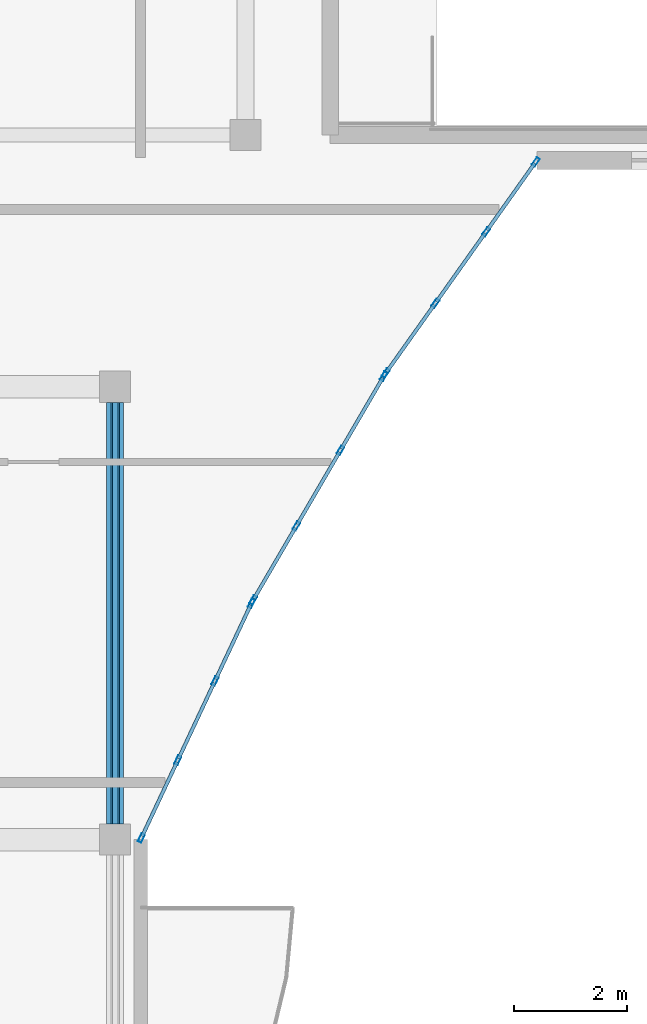
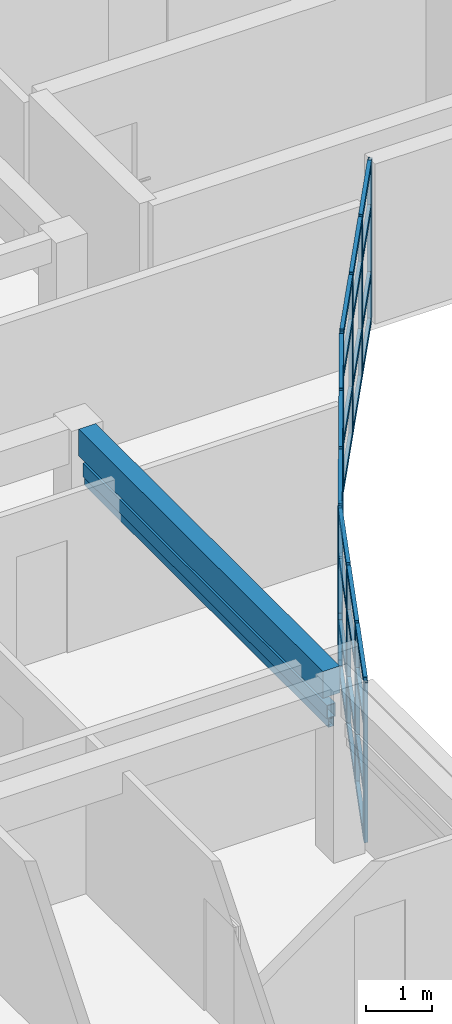
# One storey, part 2 of 68: 50 members, 1 beam, 3 elements without a shape of their own.
"""IFC4 building model written with IfcOpenShell, lengths in metres."""

from ifc_helpers import new_model, si_unit, direction, frame, origin, origin_2d, place, context, subcontext, project, spatial, rectangle, hollow_rectangle, extrude, material, layer, layer_set, material_profile, profile_set, type_object, element, aggregate, save


model = new_model("IFC4")

# Units and contexts
model_context = context("Model", 3, precision=1e-05, world=origin(), true_north=direction((0.0, 1.0)))
body_context = subcontext(model_context, "Body", "Model", "MODEL_VIEW")
ifc_project = project(units=[si_unit("LENGTHUNIT", "METRE"), si_unit("AREAUNIT", "SQUARE_METRE"), si_unit("VOLUMEUNIT", "CUBIC_METRE"), si_unit("PLANEANGLEUNIT", "RADIAN"), si_unit("MASSUNIT", "GRAM", prefix="KILO")], contexts=[model_context])

# Site, building, storey
site_placement = place(None, origin())
site = spatial("IfcSite", under=ifc_project, at=site_placement, CompositionType="ELEMENT")
building_placement = place(site_placement, origin())
building = spatial("IfcBuilding", under=site, at=building_placement, Name="Keldmere Railside Commons", CompositionType="ELEMENT")
storey_placement = place(building_placement, frame((0.0, 0.0, 23.360107421875)))
storey = spatial("IfcBuildingStorey", under=building, at=storey_placement, Name="L07", CompositionType="ELEMENT", Elevation=23.360107421875)

# Member
ifc_material_1 = material(Name="Steel F-36 (S355)", Category="steel")
ifc_material_profile_1 = material_profile(ifc_material_1, hollow_rectangle(XDim=0.14990234375, YDim=0.25, WallThickness=0.010009765625, at=origin_2d()), Name="RHS-250x150x10")
ifc_profile_set_1 = profile_set([ifc_material_profile_1], Name="Steel F-36 (S355)")
member_type_1 = type_object("IfcMemberType", Name="Balcony Continuous Planted Trough RHS250x150", PredefinedType="CHORD", material=ifc_profile_set_1)
member_1_placement = place(storey_placement, frame((23.550048828125, 88.27490234375, 2.414794921875), z_axis=(0.0, 1.0, 0.0), x_axis=(-1.0, 0.0, 0.0)))
element("IfcMember", 1, at=member_1_placement, inside=storey, type_object=member_type_1, Name="PLT-1 MEM-BPLT-0791", PredefinedType="CHORD", context=body_context, shape_type="SweptSolid", body=[
    extrude(hollow_rectangle(XDim=0.14990234375, YDim=0.25, WallThickness=0.010009765625, at=origin_2d()), origin(), (0.0, 0.0, 1.0), 7.4501953125),
])

# Beam
ifc_material_2 = material(Name="Concrete H-30 (C30/37)", Category="concrete")
ifc_material_profile_2 = material_profile(ifc_material_2, rectangle(XDim=0.300048828125, YDim=0.5, at=origin_2d()), Name="RC-300x500")
ifc_profile_set_2 = profile_set([ifc_material_profile_2], Name="Concrete H-30 (C30/37)")
beam_type = type_object("IfcBeamType", Name="Secondary Frame RC Beam 300x500", PredefinedType="BEAM", material=ifc_profile_set_2)
beam_placement = place(storey_placement, frame((23.550048828125, 88.27490234375, 2.949951171875), z_axis=(0.0, 1.0, 0.0), x_axis=(-1.0, 0.0, 0.0)))
element("IfcBeam", 2, at=beam_placement, inside=storey, type_object=beam_type, Name="BG-5 BM-L07-2102", PredefinedType="BEAM", context=body_context, shape_type="SweptSolid", body=[
    extrude(rectangle(XDim=0.300048828125, YDim=0.5, at=origin_2d()), origin(), (0.0, 0.0, 1.0), 7.4501953125),
])

# Member
ifc_material_profile_3 = material_profile(ifc_material_1, hollow_rectangle(XDim=0.10009765625, YDim=0.159912109375, WallThickness=0.008056640625, at=origin_2d()), Name="RHS-160x100x8")
ifc_profile_set_3 = profile_set([ifc_material_profile_3], Name="Steel F-36 (S355)")
member_type_2 = type_object("IfcMemberType", Name="Solar Brise-Soleil Louvre Fin RHS160x100", PredefinedType="STRUT", material=ifc_profile_set_3)
member_2_placement = place(storey_placement, frame((23.550048828125, 88.27490234375, 2.199951171875), z_axis=(0.0, 1.0, 0.0), x_axis=(-1.0, 0.0, 0.0)))
element("IfcMember", 3, at=member_2_placement, inside=storey, type_object=member_type_2, Name="BSF-1 MEM-BSF-0792", PredefinedType="STRUT", context=body_context, shape_type="SweptSolid", body=[
    extrude(hollow_rectangle(XDim=0.10009765625, YDim=0.159912109375, WallThickness=0.008056640625, at=origin_2d()), origin(), (0.0, 0.0, 1.0), 7.4501953125),
])

# Curtain wall, members
ifc_material_3 = material(Name="Thermally Broken Aluminium", Category="aluminium")
ifc_layer_1 = layer(ifc_material_3, 0.159912109375, Name="Court Chord Wintergarden CW 4800x2850")
ifc_layer_set_1 = layer_set([ifc_layer_1], Name="Thermally Broken Aluminium")
curtain_wall_type_1 = type_object("IfcCurtainWallType", Name="Court Chord Wintergarden CW 4800x2850", PredefinedType="NOTDEFINED", material=ifc_layer_set_1)
curtain_wall_1_placement = place(storey_placement, origin())
curtain_wall_1 = element("IfcCurtainWall", 4, at=curtain_wall_1_placement, inside=storey, type_object=curtain_wall_type_1, Name="CW-12 CW-L07-022", PredefinedType="NOTDEFINED")
ifc_material_profile_4 = material_profile(ifc_material_3, hollow_rectangle(XDim=0.06494140625, YDim=0.159912109375, WallThickness=0.00390625, at=origin_2d()), Name="ALU-MULL-65x160")
ifc_profile_set_4 = profile_set([ifc_material_profile_4], Name="Thermally Broken Aluminium")
member_type_3 = type_object("IfcMemberType", Name="Unitised Curtain Wall Mullion 65x160", PredefinedType="MULLION", material=ifc_profile_set_4)
member_3_placement = place(storey_placement, frame((25.958251953125, 92.173583984375, 0.0), z_axis=(0.0, 0.0, 1.0), x_axis=(0.905306255478, -0.424759442264, 0.0)))
member_3 = element("IfcMember", 5, at=member_3_placement, type_object=member_type_3, Name="CW-12 mullion 1", PredefinedType="MULLION", context=body_context, shape_type="SweptSolid", body=[
    extrude(hollow_rectangle(XDim=0.06494140625, YDim=0.159912109375, WallThickness=0.00390625, at=origin_2d()), origin(), (0.0, 0.0, 1.0), 2.97998046875),
])
member_4_placement = place(storey_placement, frame((25.314697265625, 90.802001953125, 0.0), z_axis=(0.0, 0.0, 1.0), x_axis=(0.905306255478, -0.424759442264, 0.0)))
member_4 = element("IfcMember", 6, at=member_4_placement, type_object=member_type_3, Name="CW-12 mullion 2", PredefinedType="MULLION", context=body_context, shape_type="SweptSolid", body=[
    extrude(hollow_rectangle(XDim=0.06494140625, YDim=0.159912109375, WallThickness=0.00390625, at=origin_2d()), origin(), (0.0, 0.0, 1.0), 2.97998046875),
])
member_5_placement = place(storey_placement, frame((24.6572265625, 89.40087890625, 0.0), z_axis=(0.0, 0.0, 1.0), x_axis=(0.905306255478, -0.424759442264, 0.0)))
member_5 = element("IfcMember", 7, at=member_5_placement, type_object=member_type_3, Name="CW-12 mullion 3", PredefinedType="MULLION", context=body_context, shape_type="SweptSolid", body=[
    extrude(hollow_rectangle(XDim=0.06494140625, YDim=0.159912109375, WallThickness=0.00390625, at=origin_2d()), origin(), (0.0, 0.0, 1.0), 2.97998046875),
])
member_6_placement = place(storey_placement, frame((24.013916015625, 88.029541015625, 0.0), z_axis=(0.0, 0.0, 1.0), x_axis=(0.905306255478, -0.424759442264, 0.0)))
member_6 = element("IfcMember", 8, at=member_6_placement, type_object=member_type_3, Name="CW-12 mullion 4", PredefinedType="MULLION", context=body_context, shape_type="SweptSolid", body=[
    extrude(hollow_rectangle(XDim=0.06494140625, YDim=0.159912109375, WallThickness=0.00390625, at=origin_2d()), origin(), (0.0, 0.0, 1.0), 2.97998046875),
])

ifc_layer_2 = layer(ifc_material_3, 0.159912109375, Name="Court Chord Wintergarden CW 5400x2850")
ifc_layer_set_2 = layer_set([ifc_layer_2], Name="Thermally Broken Aluminium")
curtain_wall_type_2 = type_object("IfcCurtainWallType", Name="Court Chord Wintergarden CW 5400x2850", PredefinedType="NOTDEFINED", material=ifc_layer_set_2)
curtain_wall_2_placement = place(storey_placement, origin())
curtain_wall_2 = element("IfcCurtainWall", 9, at=curtain_wall_2_placement, inside=storey, type_object=curtain_wall_type_2, Name="CW-13 CW-L07-023", PredefinedType="NOTDEFINED")
member_7_placement = place(storey_placement, frame((28.295654296875, 96.18603515625, 0.0), z_axis=(0.0, 0.0, 1.0), x_axis=(0.86375546846, -0.503911193272, 0.0)))
member_7 = element("IfcMember", 10, at=member_7_placement, type_object=member_type_3, Name="CW-13 mullion 1", PredefinedType="MULLION", context=body_context, shape_type="SweptSolid", body=[
    extrude(hollow_rectangle(XDim=0.06494140625, YDim=0.159912109375, WallThickness=0.00390625, at=origin_2d()), origin(), (0.0, 0.0, 1.0), 2.97998046875),
])
member_8_placement = place(storey_placement, frame((27.531982421875, 94.876953125, 0.0), z_axis=(0.0, 0.0, 1.0), x_axis=(0.86375546846, -0.503911193272, 0.0)))
member_8 = element("IfcMember", 11, at=member_8_placement, type_object=member_type_3, Name="CW-13 mullion 2", PredefinedType="MULLION", context=body_context, shape_type="SweptSolid", body=[
    extrude(hollow_rectangle(XDim=0.06494140625, YDim=0.159912109375, WallThickness=0.00390625, at=origin_2d()), origin(), (0.0, 0.0, 1.0), 2.97998046875),
])
member_9_placement = place(storey_placement, frame((26.751953125, 93.5400390625, 0.0), z_axis=(0.0, 0.0, 1.0), x_axis=(0.86375546846, -0.503911193272, 0.0)))
member_9 = element("IfcMember", 12, at=member_9_placement, type_object=member_type_3, Name="CW-13 mullion 3", PredefinedType="MULLION", context=body_context, shape_type="SweptSolid", body=[
    extrude(hollow_rectangle(XDim=0.06494140625, YDim=0.159912109375, WallThickness=0.00390625, at=origin_2d()), origin(), (0.0, 0.0, 1.0), 2.97998046875),
])
member_10_placement = place(storey_placement, frame((25.98828125, 92.23095703125, 0.0), z_axis=(0.0, 0.0, 1.0), x_axis=(0.86375546846, -0.503911193272, 0.0)))
member_10 = element("IfcMember", 13, at=member_10_placement, type_object=member_type_3, Name="CW-13 mullion 4", PredefinedType="MULLION", context=body_context, shape_type="SweptSolid", body=[
    extrude(hollow_rectangle(XDim=0.06494140625, YDim=0.159912109375, WallThickness=0.00390625, at=origin_2d()), origin(), (0.0, 0.0, 1.0), 2.97998046875),
])

curtain_wall_3_placement = place(storey_placement, origin())
curtain_wall_3 = element("IfcCurtainWall", 14, at=curtain_wall_3_placement, inside=storey, type_object=curtain_wall_type_1, Name="CW-12 CW-L07-024", PredefinedType="NOTDEFINED")
member_11_placement = place(storey_placement, frame((30.981201171875, 99.973388671875, 0.0), z_axis=(0.0, 0.0, 1.0), x_axis=(0.815389084395, -0.578913327753, 0.0)))
member_11 = element("IfcMember", 15, at=member_11_placement, type_object=member_type_3, Name="CW-12 mullion 1", PredefinedType="MULLION", context=body_context, shape_type="SweptSolid", body=[
    extrude(hollow_rectangle(XDim=0.06494140625, YDim=0.159912109375, WallThickness=0.00390625, at=origin_2d()), origin(), (0.0, 0.0, 1.0), 2.97998046875),
])
member_12_placement = place(storey_placement, frame((30.10400390625, 98.738037109375, 0.0), z_axis=(0.0, 0.0, 1.0), x_axis=(0.815389084395, -0.578913327753, 0.0)))
member_12 = element("IfcMember", 16, at=member_12_placement, type_object=member_type_3, Name="CW-12 mullion 2", PredefinedType="MULLION", context=body_context, shape_type="SweptSolid", body=[
    extrude(hollow_rectangle(XDim=0.06494140625, YDim=0.159912109375, WallThickness=0.00390625, at=origin_2d()), origin(), (0.0, 0.0, 1.0), 2.97998046875),
])
member_13_placement = place(storey_placement, frame((29.2080078125, 97.47607421875, 0.0), z_axis=(0.0, 0.0, 1.0), x_axis=(0.815389084395, -0.578913327753, 0.0)))
member_13 = element("IfcMember", 17, at=member_13_placement, type_object=member_type_3, Name="CW-12 mullion 3", PredefinedType="MULLION", context=body_context, shape_type="SweptSolid", body=[
    extrude(hollow_rectangle(XDim=0.06494140625, YDim=0.159912109375, WallThickness=0.00390625, at=origin_2d()), origin(), (0.0, 0.0, 1.0), 2.97998046875),
])
member_14_placement = place(storey_placement, frame((28.330810546875, 96.240478515625, 0.0), z_axis=(0.0, 0.0, 1.0), x_axis=(0.815389084395, -0.578913327753, 0.0)))
member_14 = element("IfcMember", 18, at=member_14_placement, type_object=member_type_3, Name="CW-12 mullion 4", PredefinedType="MULLION", context=body_context, shape_type="SweptSolid", body=[
    extrude(hollow_rectangle(XDim=0.06494140625, YDim=0.159912109375, WallThickness=0.00390625, at=origin_2d()), origin(), (0.0, 0.0, 1.0), 2.97998046875),
])

# Member
ifc_material_profile_5 = material_profile(ifc_material_3, hollow_rectangle(XDim=0.06494140625, YDim=0.1201171875, WallThickness=0.00390625, at=origin_2d()), Name="ALU-TRAN-65x120")
ifc_profile_set_5 = profile_set([ifc_material_profile_5], Name="Thermally Broken Aluminium")
member_type_4 = type_object("IfcMemberType", Name="Unitised Curtain Wall Transom 65x120", PredefinedType="USERDEFINED", material=ifc_profile_set_5)
member_15_placement = place(storey_placement, frame((25.9443359375, 92.14404296875, 0.032470703125), z_axis=(-0.424847998455, -0.905264700631, 0.0), x_axis=(0.905264700631, -0.424847998455, 0.0)))
member_15 = element("IfcMember", 19, at=member_15_placement, type_object=member_type_4, Name="CW-12 transom 1.1", ObjectType="TRANSOM", PredefinedType="USERDEFINED", context=body_context, shape_type="SweptSolid", body=[
    extrude(hollow_rectangle(XDim=0.06494140625, YDim=0.1201171875, WallThickness=0.00390625, at=origin_2d()), origin(), (0.0, 0.0, 1.0), 1.449951171875),
])

member_16_placement = place(storey_placement, frame((25.9443359375, 92.14404296875, 0.89990234375), z_axis=(-0.424847998455, -0.905264700631, 0.0), x_axis=(0.905264700631, -0.424847998455, 0.0)))
member_16 = element("IfcMember", 20, at=member_16_placement, type_object=member_type_4, Name="CW-12 transom 1.2", ObjectType="TRANSOM", PredefinedType="USERDEFINED", context=body_context, shape_type="SweptSolid", body=[
    extrude(hollow_rectangle(XDim=0.06494140625, YDim=0.1201171875, WallThickness=0.00390625, at=origin_2d()), origin(), (0.0, 0.0, 1.0), 1.449951171875),
])

member_17_placement = place(storey_placement, frame((25.9443359375, 92.14404296875, 2.14990234375), z_axis=(-0.424847998455, -0.905264700631, 0.0), x_axis=(0.905264700631, -0.424847998455, 0.0)))
member_17 = element("IfcMember", 21, at=member_17_placement, type_object=member_type_4, Name="CW-12 transom 1.3", ObjectType="TRANSOM", PredefinedType="USERDEFINED", context=body_context, shape_type="SweptSolid", body=[
    extrude(hollow_rectangle(XDim=0.06494140625, YDim=0.1201171875, WallThickness=0.00390625, at=origin_2d()), origin(), (0.0, 0.0, 1.0), 1.449951171875),
])

member_18_placement = place(storey_placement, frame((25.9443359375, 92.14404296875, 2.947509765625), z_axis=(-0.424847998455, -0.905264700631, 0.0), x_axis=(0.905264700631, -0.424847998455, 0.0)))
member_18 = element("IfcMember", 22, at=member_18_placement, type_object=member_type_4, Name="CW-12 transom 1.4", ObjectType="TRANSOM", PredefinedType="USERDEFINED", context=body_context, shape_type="SweptSolid", body=[
    extrude(hollow_rectangle(XDim=0.06494140625, YDim=0.1201171875, WallThickness=0.00390625, at=origin_2d()), origin(), (0.0, 0.0, 1.0), 1.449951171875),
])

member_19_placement = place(storey_placement, frame((25.30078125, 90.7724609375, 0.032470703125), z_axis=(-0.424741875375, -0.905314497455, 0.0), x_axis=(0.905314497455, -0.424741875375, 0.0)))
member_19 = element("IfcMember", 23, at=member_19_placement, type_object=member_type_4, Name="CW-12 transom 2.1", ObjectType="TRANSOM", PredefinedType="USERDEFINED", context=body_context, shape_type="SweptSolid", body=[
    extrude(hollow_rectangle(XDim=0.06494140625, YDim=0.1201171875, WallThickness=0.00390625, at=origin_2d()), origin(), (0.0, 0.0, 1.0), 1.482421875),
])

member_20_placement = place(storey_placement, frame((25.30078125, 90.7724609375, 0.89990234375), z_axis=(-0.424741875375, -0.905314497455, 0.0), x_axis=(0.905314497455, -0.424741875375, 0.0)))
member_20 = element("IfcMember", 24, at=member_20_placement, type_object=member_type_4, Name="CW-12 transom 2.2", ObjectType="TRANSOM", PredefinedType="USERDEFINED", context=body_context, shape_type="SweptSolid", body=[
    extrude(hollow_rectangle(XDim=0.06494140625, YDim=0.1201171875, WallThickness=0.00390625, at=origin_2d()), origin(), (0.0, 0.0, 1.0), 1.482421875),
])

member_21_placement = place(storey_placement, frame((25.30078125, 90.7724609375, 2.14990234375), z_axis=(-0.424741875375, -0.905314497455, 0.0), x_axis=(0.905314497455, -0.424741875375, 0.0)))
member_21 = element("IfcMember", 25, at=member_21_placement, type_object=member_type_4, Name="CW-12 transom 2.3", ObjectType="TRANSOM", PredefinedType="USERDEFINED", context=body_context, shape_type="SweptSolid", body=[
    extrude(hollow_rectangle(XDim=0.06494140625, YDim=0.1201171875, WallThickness=0.00390625, at=origin_2d()), origin(), (0.0, 0.0, 1.0), 1.482421875),
])

member_22_placement = place(storey_placement, frame((25.30078125, 90.7724609375, 2.947509765625), z_axis=(-0.424741875375, -0.905314497455, 0.0), x_axis=(0.905314497455, -0.424741875375, 0.0)))
member_22 = element("IfcMember", 26, at=member_22_placement, type_object=member_type_4, Name="CW-12 transom 2.4", ObjectType="TRANSOM", PredefinedType="USERDEFINED", context=body_context, shape_type="SweptSolid", body=[
    extrude(hollow_rectangle(XDim=0.06494140625, YDim=0.1201171875, WallThickness=0.00390625, at=origin_2d()), origin(), (0.0, 0.0, 1.0), 1.482421875),
])

member_23_placement = place(storey_placement, frame((24.6435546875, 89.37158203125, 0.032470703125), z_axis=(-0.424783244458, -0.905295087376, 0.0), x_axis=(0.905295087376, -0.424783244458, 0.0)))
member_23 = element("IfcMember", 27, at=member_23_placement, type_object=member_type_4, Name="CW-12 transom 3.1", ObjectType="TRANSOM", PredefinedType="USERDEFINED", context=body_context, shape_type="SweptSolid", body=[
    extrude(hollow_rectangle(XDim=0.06494140625, YDim=0.1201171875, WallThickness=0.00390625, at=origin_2d()), origin(), (0.0, 0.0, 1.0), 1.449951171875),
])

member_24_placement = place(storey_placement, frame((24.6435546875, 89.37158203125, 0.89990234375), z_axis=(-0.424783244458, -0.905295087376, 0.0), x_axis=(0.905295087376, -0.424783244458, 0.0)))
member_24 = element("IfcMember", 28, at=member_24_placement, type_object=member_type_4, Name="CW-12 transom 3.2", ObjectType="TRANSOM", PredefinedType="USERDEFINED", context=body_context, shape_type="SweptSolid", body=[
    extrude(hollow_rectangle(XDim=0.06494140625, YDim=0.1201171875, WallThickness=0.00390625, at=origin_2d()), origin(), (0.0, 0.0, 1.0), 1.449951171875),
])

member_25_placement = place(storey_placement, frame((24.6435546875, 89.37158203125, 2.14990234375), z_axis=(-0.424783244458, -0.905295087376, 0.0), x_axis=(0.905295087376, -0.424783244458, 0.0)))
member_25 = element("IfcMember", 29, at=member_25_placement, type_object=member_type_4, Name="CW-12 transom 3.3", ObjectType="TRANSOM", PredefinedType="USERDEFINED", context=body_context, shape_type="SweptSolid", body=[
    extrude(hollow_rectangle(XDim=0.06494140625, YDim=0.1201171875, WallThickness=0.00390625, at=origin_2d()), origin(), (0.0, 0.0, 1.0), 1.449951171875),
])

member_26_placement = place(storey_placement, frame((24.6435546875, 89.37158203125, 2.947509765625), z_axis=(-0.424783244458, -0.905295087376, 0.0), x_axis=(0.905295087376, -0.424783244458, 0.0)))
member_26 = element("IfcMember", 30, at=member_26_placement, type_object=member_type_4, Name="CW-12 transom 3.4", ObjectType="TRANSOM", PredefinedType="USERDEFINED", context=body_context, shape_type="SweptSolid", body=[
    extrude(hollow_rectangle(XDim=0.06494140625, YDim=0.1201171875, WallThickness=0.00390625, at=origin_2d()), origin(), (0.0, 0.0, 1.0), 1.449951171875),
])

aggregate(curtain_wall_1, [member_3, member_4, member_5, member_6, member_15, member_16, member_17, member_18, member_19, member_20, member_21, member_22, member_23, member_24, member_25, member_26])

member_27_placement = place(storey_placement, frame((28.279296875, 96.157958984375, 0.032470703125), z_axis=(-0.503912883812, -0.863754482205, 0.0), x_axis=(0.863754482205, -0.503912883812, 0.0)))
member_27 = element("IfcMember", 31, at=member_27_placement, type_object=member_type_4, Name="CW-13 transom 1.1", ObjectType="TRANSOM", PredefinedType="USERDEFINED", context=body_context, shape_type="SweptSolid", body=[
    extrude(hollow_rectangle(XDim=0.06494140625, YDim=0.1201171875, WallThickness=0.00390625, at=origin_2d()), origin(), (0.0, 0.0, 1.0), 1.45068359375),
])

member_28_placement = place(storey_placement, frame((28.279296875, 96.157958984375, 0.89990234375), z_axis=(-0.503912883812, -0.863754482205, 0.0), x_axis=(0.863754482205, -0.503912883812, 0.0)))
member_28 = element("IfcMember", 32, at=member_28_placement, type_object=member_type_4, Name="CW-13 transom 1.2", ObjectType="TRANSOM", PredefinedType="USERDEFINED", context=body_context, shape_type="SweptSolid", body=[
    extrude(hollow_rectangle(XDim=0.06494140625, YDim=0.1201171875, WallThickness=0.00390625, at=origin_2d()), origin(), (0.0, 0.0, 1.0), 1.45068359375),
])

member_29_placement = place(storey_placement, frame((28.279296875, 96.157958984375, 2.14990234375), z_axis=(-0.503912883812, -0.863754482205, 0.0), x_axis=(0.863754482205, -0.503912883812, 0.0)))
member_29 = element("IfcMember", 33, at=member_29_placement, type_object=member_type_4, Name="CW-13 transom 1.3", ObjectType="TRANSOM", PredefinedType="USERDEFINED", context=body_context, shape_type="SweptSolid", body=[
    extrude(hollow_rectangle(XDim=0.06494140625, YDim=0.1201171875, WallThickness=0.00390625, at=origin_2d()), origin(), (0.0, 0.0, 1.0), 1.45068359375),
])

member_30_placement = place(storey_placement, frame((28.279296875, 96.157958984375, 2.947509765625), z_axis=(-0.503912883812, -0.863754482205, 0.0), x_axis=(0.863754482205, -0.503912883812, 0.0)))
member_30 = element("IfcMember", 34, at=member_30_placement, type_object=member_type_4, Name="CW-13 transom 1.4", ObjectType="TRANSOM", PredefinedType="USERDEFINED", context=body_context, shape_type="SweptSolid", body=[
    extrude(hollow_rectangle(XDim=0.06494140625, YDim=0.1201171875, WallThickness=0.00390625, at=origin_2d()), origin(), (0.0, 0.0, 1.0), 1.45068359375),
])

member_31_placement = place(storey_placement, frame((27.515625, 94.848876953125, 0.032470703125), z_axis=(-0.503973390927, -0.863719179616, 0.0), x_axis=(0.863719179616, -0.503973390927, 0.0)))
member_31 = element("IfcMember", 35, at=member_31_placement, type_object=member_type_4, Name="CW-13 transom 2.1", ObjectType="TRANSOM", PredefinedType="USERDEFINED", context=body_context, shape_type="SweptSolid", body=[
    extrude(hollow_rectangle(XDim=0.06494140625, YDim=0.1201171875, WallThickness=0.00390625, at=origin_2d()), origin(), (0.0, 0.0, 1.0), 1.48291015625),
])

member_32_placement = place(storey_placement, frame((27.515625, 94.848876953125, 0.89990234375), z_axis=(-0.503973390927, -0.863719179616, 0.0), x_axis=(0.863719179616, -0.503973390927, 0.0)))
member_32 = element("IfcMember", 36, at=member_32_placement, type_object=member_type_4, Name="CW-13 transom 2.2", ObjectType="TRANSOM", PredefinedType="USERDEFINED", context=body_context, shape_type="SweptSolid", body=[
    extrude(hollow_rectangle(XDim=0.06494140625, YDim=0.1201171875, WallThickness=0.00390625, at=origin_2d()), origin(), (0.0, 0.0, 1.0), 1.48291015625),
])

member_33_placement = place(storey_placement, frame((27.515625, 94.848876953125, 2.14990234375), z_axis=(-0.503973390927, -0.863719179616, 0.0), x_axis=(0.863719179616, -0.503973390927, 0.0)))
member_33 = element("IfcMember", 37, at=member_33_placement, type_object=member_type_4, Name="CW-13 transom 2.3", ObjectType="TRANSOM", PredefinedType="USERDEFINED", context=body_context, shape_type="SweptSolid", body=[
    extrude(hollow_rectangle(XDim=0.06494140625, YDim=0.1201171875, WallThickness=0.00390625, at=origin_2d()), origin(), (0.0, 0.0, 1.0), 1.48291015625),
])

member_34_placement = place(storey_placement, frame((27.515625, 94.848876953125, 2.947509765625), z_axis=(-0.503973390927, -0.863719179616, 0.0), x_axis=(0.863719179616, -0.503973390927, 0.0)))
member_34 = element("IfcMember", 38, at=member_34_placement, type_object=member_type_4, Name="CW-13 transom 2.4", ObjectType="TRANSOM", PredefinedType="USERDEFINED", context=body_context, shape_type="SweptSolid", body=[
    extrude(hollow_rectangle(XDim=0.06494140625, YDim=0.1201171875, WallThickness=0.00390625, at=origin_2d()), origin(), (0.0, 0.0, 1.0), 1.48291015625),
])

member_35_placement = place(storey_placement, frame((26.735595703125, 93.511962890625, 0.032470703125), z_axis=(-0.503912883812, -0.863754482205, 0.0), x_axis=(0.863754482205, -0.503912883812, 0.0)))
member_35 = element("IfcMember", 39, at=member_35_placement, type_object=member_type_4, Name="CW-13 transom 3.1", ObjectType="TRANSOM", PredefinedType="USERDEFINED", context=body_context, shape_type="SweptSolid", body=[
    extrude(hollow_rectangle(XDim=0.06494140625, YDim=0.1201171875, WallThickness=0.00390625, at=origin_2d()), origin(), (0.0, 0.0, 1.0), 1.45068359375),
])

member_36_placement = place(storey_placement, frame((26.735595703125, 93.511962890625, 0.89990234375), z_axis=(-0.503912883812, -0.863754482205, 0.0), x_axis=(0.863754482205, -0.503912883812, 0.0)))
member_36 = element("IfcMember", 40, at=member_36_placement, type_object=member_type_4, Name="CW-13 transom 3.2", ObjectType="TRANSOM", PredefinedType="USERDEFINED", context=body_context, shape_type="SweptSolid", body=[
    extrude(hollow_rectangle(XDim=0.06494140625, YDim=0.1201171875, WallThickness=0.00390625, at=origin_2d()), origin(), (0.0, 0.0, 1.0), 1.45068359375),
])

member_37_placement = place(storey_placement, frame((26.735595703125, 93.511962890625, 2.14990234375), z_axis=(-0.503912883812, -0.863754482205, 0.0), x_axis=(0.863754482205, -0.503912883812, 0.0)))
member_37 = element("IfcMember", 41, at=member_37_placement, type_object=member_type_4, Name="CW-13 transom 3.3", ObjectType="TRANSOM", PredefinedType="USERDEFINED", context=body_context, shape_type="SweptSolid", body=[
    extrude(hollow_rectangle(XDim=0.06494140625, YDim=0.1201171875, WallThickness=0.00390625, at=origin_2d()), origin(), (0.0, 0.0, 1.0), 1.45068359375),
])

member_38_placement = place(storey_placement, frame((26.735595703125, 93.511962890625, 2.947509765625), z_axis=(-0.503912883812, -0.863754482205, 0.0), x_axis=(0.863754482205, -0.503912883812, 0.0)))
member_38 = element("IfcMember", 42, at=member_38_placement, type_object=member_type_4, Name="CW-13 transom 3.4", ObjectType="TRANSOM", PredefinedType="USERDEFINED", context=body_context, shape_type="SweptSolid", body=[
    extrude(hollow_rectangle(XDim=0.06494140625, YDim=0.1201171875, WallThickness=0.00390625, at=origin_2d()), origin(), (0.0, 0.0, 1.0), 1.45068359375),
])

aggregate(curtain_wall_2, [member_7, member_8, member_9, member_10, member_27, member_28, member_29, member_30, member_31, member_32, member_33, member_34, member_35, member_36, member_37, member_38])

member_39_placement = place(storey_placement, frame((30.96240234375, 99.947021484375, 0.032470703125), z_axis=(-0.578895059002, -0.815402054611, 0.0), x_axis=(0.815402054611, -0.578895059002, 0.0)))
member_39 = element("IfcMember", 43, at=member_39_placement, type_object=member_type_4, Name="CW-12 transom 1.1", ObjectType="TRANSOM", PredefinedType="USERDEFINED", context=body_context, shape_type="SweptSolid", body=[
    extrude(hollow_rectangle(XDim=0.06494140625, YDim=0.1201171875, WallThickness=0.00390625, at=origin_2d()), origin(), (0.0, 0.0, 1.0), 1.450439453125),
])

member_40_placement = place(storey_placement, frame((30.96240234375, 99.947021484375, 0.89990234375), z_axis=(-0.578895059002, -0.815402054611, 0.0), x_axis=(0.815402054611, -0.578895059002, 0.0)))
member_40 = element("IfcMember", 44, at=member_40_placement, type_object=member_type_4, Name="CW-12 transom 1.2", ObjectType="TRANSOM", PredefinedType="USERDEFINED", context=body_context, shape_type="SweptSolid", body=[
    extrude(hollow_rectangle(XDim=0.06494140625, YDim=0.1201171875, WallThickness=0.00390625, at=origin_2d()), origin(), (0.0, 0.0, 1.0), 1.450439453125),
])

member_41_placement = place(storey_placement, frame((30.96240234375, 99.947021484375, 2.14990234375), z_axis=(-0.578895059002, -0.815402054611, 0.0), x_axis=(0.815402054611, -0.578895059002, 0.0)))
member_41 = element("IfcMember", 45, at=member_41_placement, type_object=member_type_4, Name="CW-12 transom 1.3", ObjectType="TRANSOM", PredefinedType="USERDEFINED", context=body_context, shape_type="SweptSolid", body=[
    extrude(hollow_rectangle(XDim=0.06494140625, YDim=0.1201171875, WallThickness=0.00390625, at=origin_2d()), origin(), (0.0, 0.0, 1.0), 1.450439453125),
])

member_42_placement = place(storey_placement, frame((30.96240234375, 99.947021484375, 2.947509765625), z_axis=(-0.578895059002, -0.815402054611, 0.0), x_axis=(0.815402054611, -0.578895059002, 0.0)))
member_42 = element("IfcMember", 46, at=member_42_placement, type_object=member_type_4, Name="CW-12 transom 1.4", ObjectType="TRANSOM", PredefinedType="USERDEFINED", context=body_context, shape_type="SweptSolid", body=[
    extrude(hollow_rectangle(XDim=0.06494140625, YDim=0.1201171875, WallThickness=0.00390625, at=origin_2d()), origin(), (0.0, 0.0, 1.0), 1.450439453125),
])

member_43_placement = place(storey_placement, frame((30.085205078125, 98.71142578125, 0.032470703125), z_axis=(-0.578930676765, -0.815376766593, 0.0), x_axis=(0.815376766593, -0.578930676765, 0.0)))
member_43 = element("IfcMember", 47, at=member_43_placement, type_object=member_type_4, Name="CW-12 transom 2.1", ObjectType="TRANSOM", PredefinedType="USERDEFINED", context=body_context, shape_type="SweptSolid", body=[
    extrude(hollow_rectangle(XDim=0.06494140625, YDim=0.1201171875, WallThickness=0.00390625, at=origin_2d()), origin(), (0.0, 0.0, 1.0), 1.482666015625),
])

member_44_placement = place(storey_placement, frame((30.085205078125, 98.71142578125, 0.89990234375), z_axis=(-0.578930676765, -0.815376766593, 0.0), x_axis=(0.815376766593, -0.578930676765, 0.0)))
member_44 = element("IfcMember", 48, at=member_44_placement, type_object=member_type_4, Name="CW-12 transom 2.2", ObjectType="TRANSOM", PredefinedType="USERDEFINED", context=body_context, shape_type="SweptSolid", body=[
    extrude(hollow_rectangle(XDim=0.06494140625, YDim=0.1201171875, WallThickness=0.00390625, at=origin_2d()), origin(), (0.0, 0.0, 1.0), 1.482666015625),
])

member_45_placement = place(storey_placement, frame((30.085205078125, 98.71142578125, 2.14990234375), z_axis=(-0.578930676765, -0.815376766593, 0.0), x_axis=(0.815376766593, -0.578930676765, 0.0)))
member_45 = element("IfcMember", 49, at=member_45_placement, type_object=member_type_4, Name="CW-12 transom 2.3", ObjectType="TRANSOM", PredefinedType="USERDEFINED", context=body_context, shape_type="SweptSolid", body=[
    extrude(hollow_rectangle(XDim=0.06494140625, YDim=0.1201171875, WallThickness=0.00390625, at=origin_2d()), origin(), (0.0, 0.0, 1.0), 1.482666015625),
])

member_46_placement = place(storey_placement, frame((30.085205078125, 98.71142578125, 2.947509765625), z_axis=(-0.578930676765, -0.815376766593, 0.0), x_axis=(0.815376766593, -0.578930676765, 0.0)))
member_46 = element("IfcMember", 50, at=member_46_placement, type_object=member_type_4, Name="CW-12 transom 2.4", ObjectType="TRANSOM", PredefinedType="USERDEFINED", context=body_context, shape_type="SweptSolid", body=[
    extrude(hollow_rectangle(XDim=0.06494140625, YDim=0.1201171875, WallThickness=0.00390625, at=origin_2d()), origin(), (0.0, 0.0, 1.0), 1.482666015625),
])

member_47_placement = place(storey_placement, frame((29.189208984375, 97.449462890625, 0.032470703125), z_axis=(-0.578974525468, -0.815345631533, 0.0), x_axis=(0.815345631533, -0.578974525468, 0.0)))
member_47 = element("IfcMember", 51, at=member_47_placement, type_object=member_type_4, Name="CW-12 transom 3.1", ObjectType="TRANSOM", PredefinedType="USERDEFINED", context=body_context, shape_type="SweptSolid", body=[
    extrude(hollow_rectangle(XDim=0.06494140625, YDim=0.1201171875, WallThickness=0.00390625, at=origin_2d()), origin(), (0.0, 0.0, 1.0), 1.4501953125),
])

member_48_placement = place(storey_placement, frame((29.189208984375, 97.449462890625, 0.89990234375), z_axis=(-0.578974525468, -0.815345631533, 0.0), x_axis=(0.815345631533, -0.578974525468, 0.0)))
member_48 = element("IfcMember", 52, at=member_48_placement, type_object=member_type_4, Name="CW-12 transom 3.2", ObjectType="TRANSOM", PredefinedType="USERDEFINED", context=body_context, shape_type="SweptSolid", body=[
    extrude(hollow_rectangle(XDim=0.06494140625, YDim=0.1201171875, WallThickness=0.00390625, at=origin_2d()), origin(), (0.0, 0.0, 1.0), 1.4501953125),
])

member_49_placement = place(storey_placement, frame((29.189208984375, 97.449462890625, 2.14990234375), z_axis=(-0.578974525468, -0.815345631533, 0.0), x_axis=(0.815345631533, -0.578974525468, 0.0)))
member_49 = element("IfcMember", 53, at=member_49_placement, type_object=member_type_4, Name="CW-12 transom 3.3", ObjectType="TRANSOM", PredefinedType="USERDEFINED", context=body_context, shape_type="SweptSolid", body=[
    extrude(hollow_rectangle(XDim=0.06494140625, YDim=0.1201171875, WallThickness=0.00390625, at=origin_2d()), origin(), (0.0, 0.0, 1.0), 1.4501953125),
])

member_50_placement = place(storey_placement, frame((29.189208984375, 97.449462890625, 2.947509765625), z_axis=(-0.578974525468, -0.815345631533, 0.0), x_axis=(0.815345631533, -0.578974525468, 0.0)))
member_50 = element("IfcMember", 54, at=member_50_placement, type_object=member_type_4, Name="CW-12 transom 3.4", ObjectType="TRANSOM", PredefinedType="USERDEFINED", context=body_context, shape_type="SweptSolid", body=[
    extrude(hollow_rectangle(XDim=0.06494140625, YDim=0.1201171875, WallThickness=0.00390625, at=origin_2d()), origin(), (0.0, 0.0, 1.0), 1.4501953125),
])

aggregate(curtain_wall_3, [member_11, member_12, member_13, member_14, member_39, member_40, member_41, member_42, member_43, member_44, member_45, member_46, member_47, member_48, member_49, member_50])

save(model, "model.ifc")
